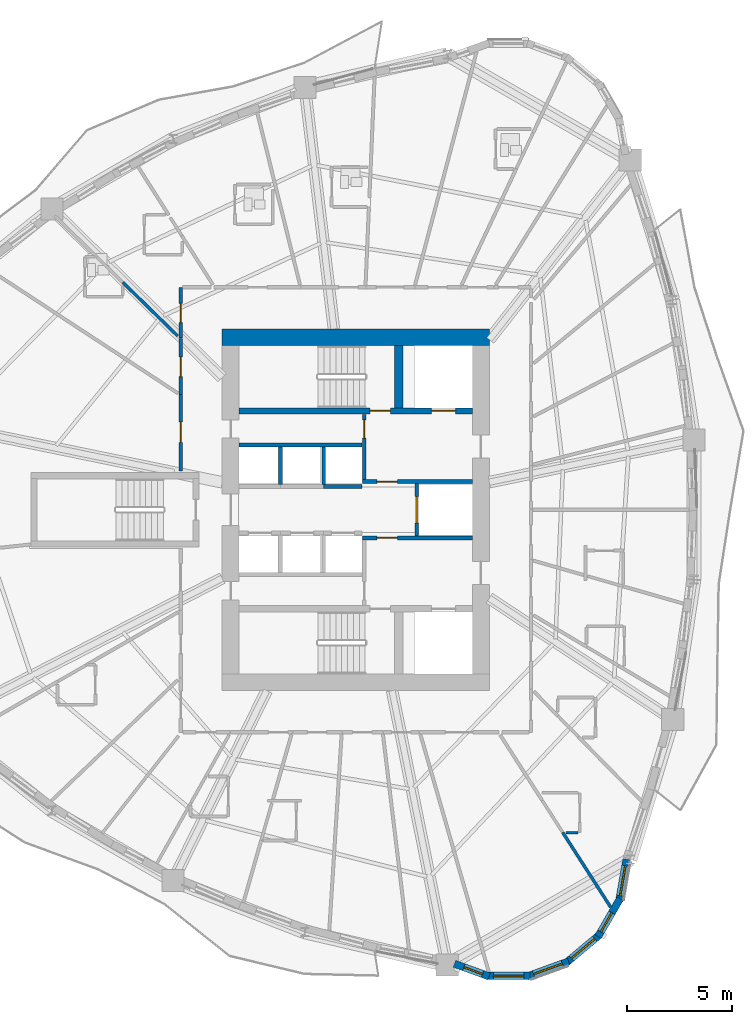
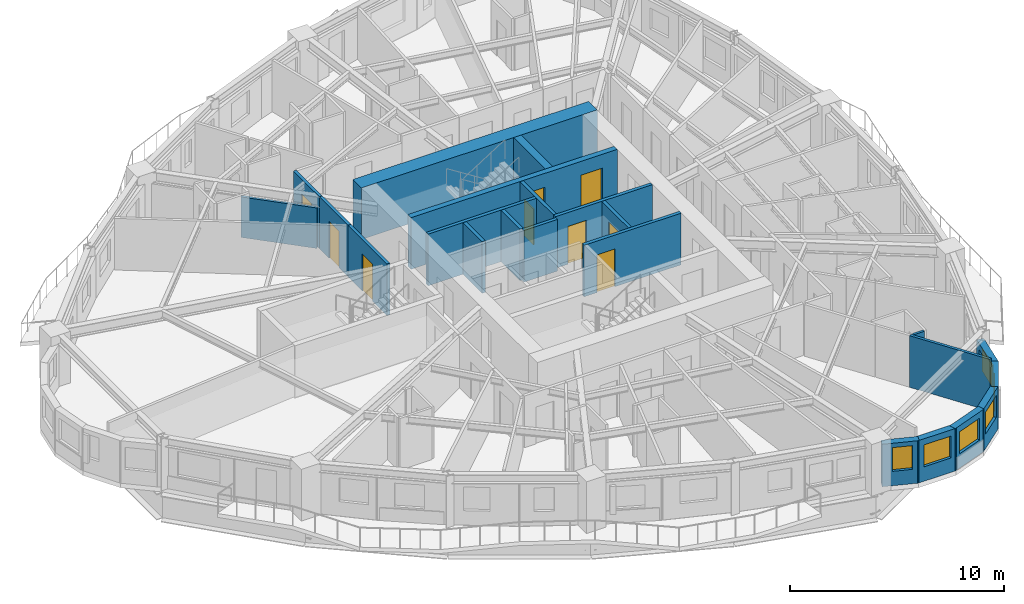
# One storey, part 6 of 14: 23 walls, 9 doors, 6 windows, 15 openings.
"""IFC4 building model written with IfcOpenShell, lengths in metres."""

from ifc_helpers import new_model, si_unit, direction, frame, frame_2d, origin, place, context, subcontext, project, spatial, rectangle, extrude, source, transform, mapped, material, layer, layer_set, type_object, element, fill, save


model = new_model("IFC4")

# Units and contexts
model_context = context("Model", 3, precision=1e-05, world=origin(), true_north=direction((0.0, 1.0)))
body_context = subcontext(model_context, "Body", "Model", "MODEL_VIEW")
ifc_project = project(units=[si_unit("LENGTHUNIT", "METRE"), si_unit("AREAUNIT", "SQUARE_METRE"), si_unit("VOLUMEUNIT", "CUBIC_METRE"), si_unit("PLANEANGLEUNIT", "RADIAN"), si_unit("MASSUNIT", "GRAM", prefix="KILO")], contexts=[model_context])

# Site, building, storey
site_placement = place(None, origin())
site = spatial("IfcSite", under=ifc_project, at=site_placement, CompositionType="ELEMENT")
building_placement = place(site_placement, origin())
building = spatial("IfcBuilding", under=site, at=building_placement, Name="Qafzar Sky-Pleat Residences", CompositionType="ELEMENT")
storey_placement = place(building_placement, frame((0.0, 0.0, 7.800048828125)))
storey = spatial("IfcBuildingStorey", under=building, at=storey_placement, Name="L01", CompositionType="ELEMENT", Elevation=7.800048828125)

# Wall, opening, door
ifc_material_1 = material(Name="Acoustic gypsum plasterboard partition", Category="gypsum")
ifc_layer_1 = layer(ifc_material_1, 0.159912109375)
ifc_layer_set_1 = layer_set([ifc_layer_1], Name="Acoustic gypsum plasterboard partition")
wall_type_1 = type_object("IfcWallType", Name="PART-COR-160", PredefinedType="PARTITIONING", material=ifc_layer_set_1)
wall_1_placement = place(storey_placement, frame((22.02001953125, 27.85009765625, 0.0), z_axis=(0.0, 0.0, 1.0), x_axis=(0.0, 1.0, 0.0)))
wall_1 = element("IfcWall", 1, at=wall_1_placement, inside=storey, type_object=wall_type_1, Name="L01 Partition Wall PART-L01-PW-003", PredefinedType="PARTITIONING", context=body_context, shape_type="SweptSolid", body=[
    extrude(rectangle(XDim=3.625, YDim=0.159912109375, at=frame_2d((1.8125, 0.0))), origin(), (0.0, 0.0, 1.0), 2.93994140625),
])
opening_1_placement = place(wall_1_placement, frame((1.35302734375, 0.0, 0.0)))
opening_1 = element("IfcOpeningElement", 2, at=opening_1_placement, cuts=wall_1, Name="Opening ID-06", PredefinedType="OPENING", context=body_context, shape_type="SweptSolid", body=[
    extrude(rectangle(XDim=0.9599609375, YDim=2.10009765625, at=frame_2d((0.47998046875, 1.050048828125))), frame((0.0, 0.08984375, 0.0), z_axis=(0.0, -1.0, 0.0), x_axis=(1.0, 0.0, 0.0)), (0.0, 0.0, 1.0), 0.179931640625),
])
ifc_material_2 = material(Name="Timber-faced fire door", Category="wood")
door_type_1 = type_object("IfcDoorType", Name="DR-STD-960", OperationType="NOTDEFINED", PredefinedType="DOOR", material=ifc_material_2)
shared_shape_1 = source(origin(), body_context, "Body", "SweptSolid", [
    extrude(rectangle(XDim=0.9599609375, YDim=2.10009765625, at=frame_2d((0.47998046875, 1.050048828125))), frame((0.0, 0.02490234375, 0.0), z_axis=(0.0, -1.0, 0.0), x_axis=(1.0, 0.0, 0.0)), (0.0, 0.0, 1.0), 0.050048828125),
])
door_1_placement = place(opening_1_placement, origin())
door_1 = element("IfcDoor", 3, at=door_1_placement, inside=storey, type_object=door_type_1, Name="L01 Reading Library Door", OperationType="SINGLE_SWING_RIGHT", OverallHeight=2.10009765625, OverallWidth=0.9599609375, PredefinedType="DOOR", context=body_context, shape_type="MappedRepresentation", body=[
    mapped(shared_shape_1, transform((0.0, 0.0, 0.0), x_axis=(1.0, 0.0, 0.0), y_axis=(0.0, 1.0, 0.0), z_axis=(0.0, 0.0, 1.0), scale=1.0)),
])
fill(opening_1, door_1)

wall_2_placement = place(storey_placement, frame((22.02001953125, 31.489990234375, 0.0), z_axis=(0.0, 0.0, 1.0), x_axis=(0.0, 1.0, 0.0)))
wall_2 = element("IfcWall", 4, at=wall_2_placement, inside=storey, type_object=wall_type_1, Name="L01 Partition Wall PART-L01-PW-010", PredefinedType="PARTITIONING", context=body_context, shape_type="SweptSolid", body=[
    extrude(rectangle(XDim=2.662109375, YDim=0.159912109375, at=frame_2d((1.3310546875, 0.0))), origin(), (0.0, 0.0, 1.0), 2.93994140625),
])
opening_2_placement = place(wall_2_placement, frame((0.843994140625, 0.0, 0.0)))
opening_2 = element("IfcOpeningElement", 5, at=opening_2_placement, cuts=wall_2, Name="Opening ID-04", PredefinedType="OPENING", context=body_context, shape_type="SweptSolid", body=[
    extrude(rectangle(XDim=0.919921875, YDim=2.10009765625, at=frame_2d((0.4599609375, 1.050048828125))), frame((0.0, 0.08984375, 0.0), z_axis=(0.0, -1.0, 0.0), x_axis=(1.0, 0.0, 0.0)), (0.0, 0.0, 1.0), 0.179931640625),
])
door_type_2 = type_object("IfcDoorType", Name="DR-BED-920", OperationType="NOTDEFINED", PredefinedType="DOOR", material=ifc_material_2)
shared_shape_2 = source(origin(), body_context, "Body", "SweptSolid", [
    extrude(rectangle(XDim=0.919921875, YDim=2.10009765625, at=frame_2d((0.4599609375, 1.050048828125))), frame((0.0, 0.02490234375, 0.0), z_axis=(0.0, -1.0, 0.0), x_axis=(1.0, 0.0, 0.0)), (0.0, 0.0, 1.0), 0.050048828125),
])
door_2_placement = place(opening_2_placement, origin())
door_2 = element("IfcDoor", 6, at=door_2_placement, inside=storey, type_object=door_type_2, Name="L01 Co-Living Bedroom 10 Door", OperationType="SINGLE_SWING_RIGHT", OverallHeight=2.10009765625, OverallWidth=0.919921875, PredefinedType="DOOR", context=body_context, shape_type="MappedRepresentation", body=[
    mapped(shared_shape_2, transform((0.0, 0.0, 0.0), x_axis=(1.0, 0.0, 0.0), y_axis=(0.0, 1.0, 0.0), z_axis=(0.0, 0.0, 1.0), scale=1.0)),
])
fill(opening_2, door_2)

wall_3_placement = place(storey_placement, frame((22.02001953125, 34.1669921875, 0.0), z_axis=(0.0, 0.0, 1.0), x_axis=(0.0, 1.0, 0.0)))
wall_3 = element("IfcWall", 7, at=wall_3_placement, inside=storey, type_object=wall_type_1, Name="L01 Partition Wall PART-L01-PW-014", PredefinedType="PARTITIONING", context=body_context, shape_type="SweptSolid", body=[
    extrude(rectangle(XDim=2.4130859375, YDim=0.159912109375, at=frame_2d((1.20654296875, 0.0))), origin(), (0.0, 0.0, 1.0), 2.93994140625),
])
opening_3_placement = place(wall_3_placement, frame((0.728515625, 0.0, 0.0)))
opening_3 = element("IfcOpeningElement", 8, at=opening_3_placement, cuts=wall_3, Name="Opening ID-04", PredefinedType="OPENING", context=body_context, shape_type="SweptSolid", body=[
    extrude(rectangle(XDim=0.919921875, YDim=2.10009765625, at=frame_2d((0.4599609375, 1.050048828125))), frame((0.0, 0.08984375, 0.0), z_axis=(0.0, -1.0, 0.0), x_axis=(1.0, 0.0, 0.0)), (0.0, 0.0, 1.0), 0.179931640625),
])
door_3_placement = place(opening_3_placement, origin())
door_3 = element("IfcDoor", 9, at=door_3_placement, inside=storey, type_object=door_type_2, Name="L01 Co-Living Bedroom 11 Door", OperationType="SINGLE_SWING_LEFT", OverallHeight=2.10009765625, OverallWidth=0.919921875, PredefinedType="DOOR", context=body_context, shape_type="MappedRepresentation", body=[
    mapped(shared_shape_2, transform((0.0, 0.0, 0.0), x_axis=(1.0, 0.0, 0.0), y_axis=(0.0, 1.0, 0.0), z_axis=(0.0, 0.0, 1.0), scale=1.0)),
])
fill(opening_3, door_3)

ifc_material_3 = material(Name="Concrete blockwork partition", Category="masonry")
ifc_layer_2 = layer(ifc_material_3, 0.179931640625)
ifc_layer_set_2 = layer_set([ifc_layer_2], Name="Concrete blockwork partition")
wall_type_2 = type_object("IfcWallType", Name="PART-SHAFT-180", PredefinedType="PARTITIONING", material=ifc_layer_set_2)
wall_4_placement = place(storey_placement, frame((30.669921875, 24.659912109375, 0.0), z_axis=(0.0, 0.0, 1.0), x_axis=(1.0, 0.0, 0.0)))
wall_4 = element("IfcWall", 10, at=wall_4_placement, inside=storey, type_object=wall_type_2, Name="L01 Partition Wall PART-L01-FFL1-N", PredefinedType="PARTITIONING", context=body_context, shape_type="SweptSolid", body=[
    extrude(rectangle(XDim=5.219970703125, YDim=0.179931640625, at=frame_2d((2.60986328125, 0.0))), origin(), (0.0, 0.0, 1.0), 2.93994140625),
])
opening_4_placement = place(wall_4_placement, frame((0.679931640625, 0.0, 0.0)))
opening_4 = element("IfcOpeningElement", 11, at=opening_4_placement, cuts=wall_4, Name="Opening ID-01", PredefinedType="OPENING", context=body_context, shape_type="SweptSolid", body=[
    extrude(rectangle(XDim=0.97998046875, YDim=2.14990234375, at=frame_2d((0.489990234375, 1.074951171875))), frame((0.0, 0.10009765625, 0.0), z_axis=(0.0, -1.0, 0.0), x_axis=(1.0, 0.0, 0.0)), (0.0, 0.0, 1.0), 0.199951171875),
])
door_type_3 = type_object("IfcDoorType", Name="DR-STAIR-980", OperationType="NOTDEFINED", PredefinedType="DOOR", material=ifc_material_2)
shared_shape_3 = source(origin(), body_context, "Body", "SweptSolid", [
    extrude(rectangle(XDim=0.97998046875, YDim=2.14990234375, at=frame_2d((0.489990234375, 1.074951171875))), frame((0.0, 0.02490234375, 0.0), z_axis=(0.0, -1.0, 0.0), x_axis=(1.0, 0.0, 0.0)), (0.0, 0.0, 1.0), 0.050048828125),
])
door_4_placement = place(opening_4_placement, origin())
door_4 = element("IfcDoor", 12, at=door_4_placement, inside=storey, type_object=door_type_3, Name="L01 Lift Lobby to South Firefighting Lobby Door", OperationType="SINGLE_SWING_RIGHT", OverallHeight=2.14990234375, OverallWidth=0.97998046875, PredefinedType="DOOR", context=body_context, shape_type="MappedRepresentation", body=[
    mapped(shared_shape_3, transform((0.0, 0.0, 0.0), x_axis=(1.0, 0.0, 0.0), y_axis=(0.0, 1.0, 0.0), z_axis=(0.0, 0.0, 1.0), scale=1.0)),
])
fill(opening_4, door_4)

wall_5_placement = place(storey_placement, frame((30.75, 27.429931640625, 0.0), z_axis=(0.0, 0.0, 1.0), x_axis=(0.0, 1.0, 0.0)))
wall_5 = element("IfcWall", 13, at=wall_5_placement, inside=storey, type_object=wall_type_2, Name="L01 Partition Wall PART-L01-FFL2-W", PredefinedType="PARTITIONING", context=body_context, shape_type="SweptSolid", body=[
    extrude(rectangle(XDim=3.110107421875, YDim=0.179931640625, at=frame_2d((1.55517578125, 0.0))), origin(), (0.0, 0.0, 1.0), 2.93994140625),
])
opening_5_placement = place(wall_5_placement, frame((1.97998046875, 0.0, 0.0)))
opening_5 = element("IfcOpeningElement", 14, at=opening_5_placement, cuts=wall_5, Name="Opening ID-09", PredefinedType="OPENING", context=body_context, shape_type="SweptSolid", body=[
    extrude(rectangle(XDim=0.860107421875, YDim=2.050048828125, at=frame_2d((0.43017578125, 1.02490234375))), frame((0.0, 0.10009765625, 0.0), z_axis=(0.0, -1.0, 0.0), x_axis=(1.0, 0.0, 0.0)), (0.0, 0.0, 1.0), 0.199951171875),
])
door_type_4 = type_object("IfcDoorType", Name="DR-SVC-860", OperationType="NOTDEFINED", PredefinedType="DOOR", material=ifc_material_2)
shared_shape_4 = source(origin(), body_context, "Body", "SweptSolid", [
    extrude(rectangle(XDim=0.860107421875, YDim=2.050048828125, at=frame_2d((0.43017578125, 1.02490234375))), frame((0.0, 0.02490234375, 0.0), z_axis=(0.0, -1.0, 0.0), x_axis=(1.0, 0.0, 0.0)), (0.0, 0.0, 1.0), 0.050048828125),
])
door_5_placement = place(opening_5_placement, origin())
door_5 = element("IfcDoor", 15, at=door_5_placement, inside=storey, type_object=door_type_4, Name="L01 North Core Cupboard Door", OperationType="SINGLE_SWING_LEFT", OverallHeight=2.050048828125, OverallWidth=0.860107421875, PredefinedType="DOOR", context=body_context, shape_type="MappedRepresentation", body=[
    mapped(shared_shape_4, transform((0.0, 0.0, 0.0), x_axis=(1.0, 0.0, 0.0), y_axis=(0.0, 1.0, 0.0), z_axis=(0.0, 0.0, 1.0), scale=1.0)),
])
fill(opening_5, door_5)

wall_6_placement = place(storey_placement, frame((30.669921875, 27.340087890625, 0.0), z_axis=(0.0, 0.0, 1.0), x_axis=(1.0, 0.0, 0.0)))
wall_6 = element("IfcWall", 16, at=wall_6_placement, inside=storey, type_object=wall_type_2, Name="L01 Partition Wall PART-L01-FFL2-S", PredefinedType="PARTITIONING", context=body_context, shape_type="SweptSolid", body=[
    extrude(rectangle(XDim=5.219970703125, YDim=0.179931640625, at=frame_2d((2.60986328125, 0.0))), origin(), (0.0, 0.0, 1.0), 2.93994140625),
])
opening_6_placement = place(wall_6_placement, frame((0.679931640625, 0.0, 0.0)))
opening_6 = element("IfcOpeningElement", 17, at=opening_6_placement, cuts=wall_6, Name="Opening ID-01", PredefinedType="OPENING", context=body_context, shape_type="SweptSolid", body=[
    extrude(rectangle(XDim=0.97998046875, YDim=2.14990234375, at=frame_2d((0.489990234375, 1.074951171875))), frame((0.0, 0.10009765625, 0.0), z_axis=(0.0, -1.0, 0.0), x_axis=(1.0, 0.0, 0.0)), (0.0, 0.0, 1.0), 0.199951171875),
])
door_6_placement = place(opening_6_placement, origin())
door_6 = element("IfcDoor", 18, at=door_6_placement, inside=storey, type_object=door_type_3, Name="L01 Lift Lobby to North Firefighting Lobby Door", OperationType="SINGLE_SWING_RIGHT", OverallHeight=2.14990234375, OverallWidth=0.97998046875, PredefinedType="DOOR", context=body_context, shape_type="MappedRepresentation", body=[
    mapped(shared_shape_3, transform((0.0, 0.0, 0.0), x_axis=(1.0, 0.0, 0.0), y_axis=(0.0, 1.0, 0.0), z_axis=(0.0, 0.0, 1.0), scale=1.0)),
])
fill(opening_6, door_6)

wall_7_placement = place(storey_placement, frame((33.25, 24.760009765625, 0.0), z_axis=(0.0, 0.0, 1.0), x_axis=(0.0, 1.0, 0.0)))
wall_7 = element("IfcWall", 19, at=wall_7_placement, inside=storey, type_object=wall_type_2, Name="L01 Partition Wall PART-L01-SV1-W", PredefinedType="PARTITIONING", context=body_context, shape_type="SweptSolid", body=[
    extrude(rectangle(XDim=2.47998046875, YDim=0.179931640625, at=frame_2d((1.239990234375, 0.0))), origin(), (0.0, 0.0, 1.0), 2.93994140625),
])
opening_7_placement = place(wall_7_placement, frame((0.614990234375, 0.0, 0.0)))
opening_7 = element("IfcOpeningElement", 20, at=opening_7_placement, cuts=wall_7, Name="Opening LD-03", PredefinedType="OPENING", context=body_context, shape_type="SweptSolid", body=[
    extrude(rectangle(XDim=1.25, YDim=2.14990234375, at=frame_2d((0.625, 1.074951171875))), frame((0.0, 0.10009765625, 0.0), z_axis=(0.0, -1.0, 0.0), x_axis=(1.0, 0.0, 0.0)), (0.0, 0.0, 1.0), 0.199951171875),
])
ifc_material_4 = material(Name="Stainless steel sliding landing door", Category="steel")
door_type_5 = type_object("IfcDoorType", Name="DR-LIFT-SV", OperationType="DOUBLE_DOOR_SLIDING", PredefinedType="DOOR", material=ifc_material_4)
shared_shape_5 = source(origin(), body_context, "Body", "SweptSolid", [
    extrude(rectangle(XDim=1.25, YDim=2.14990234375, at=frame_2d((0.625, 1.074951171875))), frame((0.0, 0.02490234375, 0.0), z_axis=(0.0, -1.0, 0.0), x_axis=(1.0, 0.0, 0.0)), (0.0, 0.0, 1.0), 0.050048828125),
])
door_7_placement = place(opening_7_placement, origin())
door_7 = element("IfcDoor", 21, at=door_7_placement, inside=storey, type_object=door_type_5, Name="L01 Service Lift SV1 Landing Door", OperationType="DOUBLE_DOOR_SLIDING", OverallHeight=2.14990234375, OverallWidth=1.25, PredefinedType="DOOR", context=body_context, shape_type="MappedRepresentation", body=[
    mapped(shared_shape_5, transform((0.0, 0.0, 0.0), x_axis=(1.0, 0.0, 0.0), y_axis=(0.0, 1.0, 0.0), z_axis=(0.0, 0.0, 1.0), scale=1.0)),
])
fill(opening_7, door_7)

# Walls
wall_8_placement = place(storey_placement, frame((24.81005859375, 29.080078125, 0.0), z_axis=(0.0, 0.0, 1.0), x_axis=(1.0, 0.0, 0.0)))
element("IfcWall", 22, at=wall_8_placement, inside=storey, type_object=wall_type_2, Name="L01 Partition Wall PART-L01-P46-N", PredefinedType="PARTITIONING", context=body_context, shape_type="SweptSolid", body=[
    extrude(rectangle(XDim=5.83984375, YDim=0.179931640625, at=frame_2d((2.919921875, 0.0))), origin(), (0.0, 0.0, 1.0), 2.93994140625),
])
wall_9_placement = place(storey_placement, frame((26.77490234375, 27.199951171875, 0.0), z_axis=(0.0, 0.0, 1.0), x_axis=(0.0, 1.0, 0.0)))
element("IfcWall", 23, at=wall_9_placement, inside=storey, type_object=wall_type_2, Name="L01 Partition Wall PART-L01-P46-DIV-1", PredefinedType="PARTITIONING", context=body_context, shape_type="SweptSolid", body=[
    extrude(rectangle(XDim=1.780029296875, YDim=0.179931640625, at=frame_2d((0.89013671875, 0.0))), origin(), (0.0, 0.0, 1.0), 2.93994140625),
])
wall_10_placement = place(storey_placement, frame((28.824951171875, 27.10009765625, 0.0), z_axis=(0.0, 0.0, 1.0), x_axis=(1.0, 0.0, 0.0)))
element("IfcWall", 24, at=wall_10_placement, inside=storey, type_object=wall_type_2, Name="L01 Partition Wall PART-L01-P6-S", PredefinedType="PARTITIONING", context=body_context, shape_type="SweptSolid", body=[
    extrude(rectangle(XDim=1.824951171875, YDim=0.179931640625, at=frame_2d((0.91259765625, 0.0))), origin(), (0.0, 0.0, 1.0), 2.93994140625),
])
wall_11_placement = place(storey_placement, frame((28.824951171875, 27.199951171875, 0.0), z_axis=(0.0, 0.0, 1.0), x_axis=(0.0, 1.0, 0.0)))
element("IfcWall", 25, at=wall_11_placement, inside=storey, type_object=wall_type_2, Name="L01 Partition Wall PART-L01-P46-DIV-2", PredefinedType="PARTITIONING", context=body_context, shape_type="SweptSolid", body=[
    extrude(rectangle(XDim=1.780029296875, YDim=0.179931640625, at=frame_2d((0.89013671875, 0.0))), origin(), (0.0, 0.0, 1.0), 2.93994140625),
])
ifc_layer_3 = layer(ifc_material_1, 0.14501953125)
ifc_layer_set_3 = layer_set([ifc_layer_3], Name="Acoustic gypsum plasterboard partition")
wall_type_3 = type_object("IfcWallType", Name="PART-UNIT-145", PredefinedType="PARTITIONING", material=ifc_layer_set_3)
wall_12_placement = place(storey_placement, frame((40.19091796875, 10.657958984375, 0.0), z_axis=(0.0, 0.0, 1.0), x_axis=(0.539757550566, -0.841820519236, 0.0)))
element("IfcWall", 26, at=wall_12_placement, inside=storey, type_object=wall_type_3, Name="L01 Partition Wall PART-L01-PW-059", PredefinedType="PARTITIONING", context=body_context, shape_type="SweptSolid", body=[
    extrude(rectangle(XDim=4.221435546875, YDim=0.14501953125, at=frame_2d((2.11083984375, 0.0))), origin(), (0.0, 0.0, 1.0), 2.93994140625),
])
wall_13_placement = place(storey_placement, frame((19.27099609375, 36.81494140625, 0.0), z_axis=(0.0, 0.0, 1.0), x_axis=(0.71551452036, -0.698597860828, 0.0)))
element("IfcWall", 27, at=wall_13_placement, inside=storey, type_object=wall_type_3, Name="L01 Partition Wall PART-L01-PW-061", PredefinedType="PARTITIONING", context=body_context, shape_type="SweptSolid", body=[
    extrude(rectangle(XDim=3.6513671875, YDim=0.14501953125, at=frame_2d((1.82568359375, 0.0))), origin(), (0.0, 0.0, 1.0), 2.307861328125),
])
ifc_material_5 = material(Name="Moisture-resistant gypsum partition", Category="gypsum")
ifc_layer_4 = layer(ifc_material_5, 0.1298828125)
ifc_layer_set_4 = layer_set([ifc_layer_4], Name="Moisture-resistant gypsum partition")
wall_type_4 = type_object("IfcWallType", Name="PART-WET-130", PredefinedType="PARTITIONING", material=ifc_layer_set_4)
wall_14_placement = place(storey_placement, frame((40.335693359375, 10.64306640625, 0.0), z_axis=(0.0, 0.0, 1.0), x_axis=(1.0, 0.0, 0.0)))
element("IfcWall", 28, at=wall_14_placement, inside=storey, type_object=wall_type_4, Name="L01 Partition Wall PART-L01-PW-112", PredefinedType="PARTITIONING", context=body_context, shape_type="SweptSolid", body=[
    extrude(rectangle(XDim=0.58740234375, YDim=0.1298828125, at=frame_2d((0.293701171875, 0.0))), origin(), (0.0, 0.0, 1.0), 2.93994140625),
])

# Wall, opening, window
ifc_material_6 = material(Name="Precast concrete C40/50 with honed Riyadh limestone", Category="concrete")
ifc_layer_5 = layer(ifc_material_6, 0.35009765625)
ifc_layer_set_5 = layer_set([ifc_layer_5], Name="Precast concrete C40/50 with honed Riyadh limestone")
wall_type_5 = type_object("IfcWallType", Name="WALL-EXT-350", PredefinedType="SOLIDWALL", material=ifc_layer_set_5)
wall_15_placement = place(storey_placement, frame((35.041748046875, 4.4111328125, 0.0), z_axis=(0.0, 0.0, 1.0), x_axis=(0.9396916908, -0.34202269843, 0.0)))
wall_15 = element("IfcWall", 29, at=wall_15_placement, inside=storey, type_object=wall_type_5, Name="L01 Limestone Facade Wall 17", PredefinedType="SOLIDWALL", context=body_context, shape_type="SweptSolid", body=[
    extrude(rectangle(XDim=1.75244140625, YDim=0.35009765625, at=frame_2d((0.876220703125, 0.0))), origin(), (0.0, 0.0, 1.0), 2.419921875),
])
opening_8_placement = place(wall_15_placement, frame((0.476318359375, 0.0, 0.820068359375)))
opening_8 = element("IfcOpeningElement", 30, at=opening_8_placement, cuts=wall_15, Name="Opening WN-12", PredefinedType="OPENING", context=body_context, shape_type="SweptSolid", body=[
    extrude(rectangle(XDim=0.949951171875, YDim=1.35009765625, at=frame_2d((0.47509765625, 0.675048828125))), frame((0.0, 0.18505859375, 0.0), z_axis=(0.0, -1.0, 0.0), x_axis=(1.0, 0.0, 0.0)), (0.0, 0.0, 1.0), 0.3701171875),
])
ifc_material_7 = material(Name="Solar-control low-E glass in bronze aluminium frame", Category="glass")
window_type_1 = type_object("IfcWindowType", Name="WIN-12", PartitioningType="SINGLE_PANEL", PredefinedType="WINDOW", material=ifc_material_7)
shared_shape_6 = source(origin(), body_context, "Body", "SweptSolid", [
    extrude(rectangle(XDim=0.949951171875, YDim=1.35009765625, at=frame_2d((0.47509765625, 0.675048828125))), frame((0.0, 0.030029296875, 0.0), z_axis=(0.0, -1.0, 0.0), x_axis=(1.0, 0.0, 0.0)), (0.0, 0.0, 1.0), 0.06005859375),
])
window_1_placement = place(opening_8_placement, origin())
window_1 = element("IfcWindow", 31, at=window_1_placement, inside=storey, type_object=window_type_1, Name="L01 Punched Facade Window 17", OverallHeight=1.35009765625, OverallWidth=0.949951171875, PartitioningType="SINGLE_PANEL", PredefinedType="WINDOW", context=body_context, shape_type="MappedRepresentation", body=[
    mapped(shared_shape_6, transform((0.0, 0.0, 0.0), x_axis=(1.0, 0.0, 0.0), y_axis=(0.0, 1.0, 0.0), z_axis=(0.0, 0.0, 1.0), scale=1.0)),
])
fill(opening_8, window_1)

wall_16_placement = place(storey_placement, frame((36.5546875, 3.83544921875, 0.0), z_axis=(0.0, 0.0, 1.0), x_axis=(1.0, 0.0, 0.0)))
wall_16 = element("IfcWall", 32, at=wall_16_placement, inside=storey, type_object=wall_type_5, Name="L01 Limestone Facade Wall 18", PredefinedType="SOLIDWALL", context=body_context, shape_type="SweptSolid", body=[
    extrude(rectangle(XDim=2.090576171875, YDim=0.35009765625, at=frame_2d((1.04541015625, 0.0))), origin(), (0.0, 0.0, 1.0), 2.419921875),
])
opening_9_placement = place(wall_16_placement, frame((0.343994140625, 0.0, 0.820068359375)))
opening_9 = element("IfcOpeningElement", 33, at=opening_9_placement, cuts=wall_16, Name="Opening WN-15", PredefinedType="OPENING", context=body_context, shape_type="SweptSolid", body=[
    extrude(rectangle(XDim=1.449951171875, YDim=1.25, at=frame_2d((0.72509765625, 0.625))), frame((0.0, 0.18505859375, 0.0), z_axis=(0.0, -1.0, 0.0), x_axis=(1.0, 0.0, 0.0)), (0.0, 0.0, 1.0), 0.3701171875),
])
window_type_2 = type_object("IfcWindowType", Name="WIN-15", PartitioningType="SINGLE_PANEL", PredefinedType="WINDOW", material=ifc_material_7)
shared_shape_7 = source(origin(), body_context, "Body", "SweptSolid", [
    extrude(rectangle(XDim=1.449951171875, YDim=1.25, at=frame_2d((0.72509765625, 0.625))), frame((0.0, 0.030029296875, 0.0), z_axis=(0.0, -1.0, 0.0), x_axis=(1.0, 0.0, 0.0)), (0.0, 0.0, 1.0), 0.06005859375),
])
window_2_placement = place(opening_9_placement, origin())
window_2 = element("IfcWindow", 34, at=window_2_placement, inside=storey, type_object=window_type_2, Name="L01 Punched Facade Window 18", OverallHeight=1.25, OverallWidth=1.449951171875, PartitioningType="SINGLE_PANEL", PredefinedType="WINDOW", context=body_context, shape_type="MappedRepresentation", body=[
    mapped(shared_shape_7, transform((0.0, 0.0, 0.0), x_axis=(1.0, 0.0, 0.0), y_axis=(0.0, 1.0, 0.0), z_axis=(0.0, 0.0, 1.0), scale=1.0)),
])
fill(opening_9, window_2)

wall_17_placement = place(storey_placement, frame((38.51171875, 3.811767578125, 0.0), z_axis=(0.0, 0.0, 1.0), x_axis=(0.939660353162, 0.342108784886, 0.0)))
wall_17 = element("IfcWall", 35, at=wall_17_placement, inside=storey, type_object=wall_type_5, Name="L01 Limestone Facade Wall 19", PredefinedType="SOLIDWALL", context=body_context, shape_type="SweptSolid", body=[
    extrude(rectangle(XDim=2.09033203125, YDim=0.35009765625, at=frame_2d((1.045166015625, 0.0))), origin(), (0.0, 0.0, 1.0), 2.419921875),
])
opening_10_placement = place(wall_17_placement, frame((0.3203125, 0.0, 0.820068359375)))
opening_10 = element("IfcOpeningElement", 36, at=opening_10_placement, cuts=wall_17, Name="Opening WN-15", PredefinedType="OPENING", context=body_context, shape_type="SweptSolid", body=[
    extrude(rectangle(XDim=1.449951171875, YDim=1.25, at=frame_2d((0.72509765625, 0.625))), frame((0.0, 0.18505859375, 0.0), z_axis=(0.0, -1.0, 0.0), x_axis=(1.0, 0.0, 0.0)), (0.0, 0.0, 1.0), 0.3701171875),
])
window_3_placement = place(opening_10_placement, origin())
window_3 = element("IfcWindow", 37, at=window_3_placement, inside=storey, type_object=window_type_2, Name="L01 Punched Facade Window 19", OverallHeight=1.25, OverallWidth=1.449951171875, PartitioningType="SINGLE_PANEL", PredefinedType="WINDOW", context=body_context, shape_type="MappedRepresentation", body=[
    mapped(shared_shape_7, transform((0.0, 0.0, 0.0), x_axis=(1.0, 0.0, 0.0), y_axis=(0.0, 1.0, 0.0), z_axis=(0.0, 0.0, 1.0), scale=1.0)),
])
fill(opening_10, window_3)

wall_18_placement = place(storey_placement, frame((40.3583984375, 4.458984375, 0.0), z_axis=(0.0, 0.0, 1.0), x_axis=(0.766082082368, 0.642742750308, 0.0)))
wall_18 = element("IfcWall", 38, at=wall_18_placement, inside=storey, type_object=wall_type_5, Name="L01 Limestone Facade Wall 20", PredefinedType="SOLIDWALL", context=body_context, shape_type="SweptSolid", body=[
    extrude(rectangle(XDim=2.09033203125, YDim=0.35009765625, at=frame_2d((1.045166015625, 0.0))), origin(), (0.0, 0.0, 1.0), 2.419921875),
])
opening_11_placement = place(wall_18_placement, frame((0.3203125, 0.0, 0.820068359375)))
opening_11 = element("IfcOpeningElement", 39, at=opening_11_placement, cuts=wall_18, Name="Opening WN-15", PredefinedType="OPENING", context=body_context, shape_type="SweptSolid", body=[
    extrude(rectangle(XDim=1.449951171875, YDim=1.25, at=frame_2d((0.72509765625, 0.625))), frame((0.0, 0.18505859375, 0.0), z_axis=(0.0, -1.0, 0.0), x_axis=(1.0, 0.0, 0.0)), (0.0, 0.0, 1.0), 0.3701171875),
])
window_4_placement = place(opening_11_placement, origin())
window_4 = element("IfcWindow", 40, at=window_4_placement, inside=storey, type_object=window_type_2, Name="L01 Punched Facade Window 20", OverallHeight=1.25, OverallWidth=1.449951171875, PartitioningType="SINGLE_PANEL", PredefinedType="WINDOW", context=body_context, shape_type="MappedRepresentation", body=[
    mapped(shared_shape_7, transform((0.0, 0.0, 0.0), x_axis=(1.0, 0.0, 0.0), y_axis=(0.0, 1.0, 0.0), z_axis=(0.0, 0.0, 1.0), scale=1.0)),
])
fill(opening_11, window_4)

wall_19_placement = place(storey_placement, frame((41.87255859375, 5.69873046875, 0.0), z_axis=(0.0, 0.0, 1.0), x_axis=(0.49990781971, 0.866078617559, 0.0)))
wall_19 = element("IfcWall", 41, at=wall_19_placement, inside=storey, type_object=wall_type_5, Name="L01 Limestone Facade Wall 21", PredefinedType="SOLIDWALL", context=body_context, shape_type="SweptSolid", body=[
    extrude(rectangle(XDim=2.09033203125, YDim=0.35009765625, at=frame_2d((1.045166015625, 0.0))), origin(), (0.0, 0.0, 1.0), 2.419921875),
])
opening_12_placement = place(wall_19_placement, frame((0.267578125, 0.0, 0.820068359375)))
opening_12 = element("IfcOpeningElement", 42, at=opening_12_placement, cuts=wall_19, Name="Opening WN-06", PredefinedType="OPENING", context=body_context, shape_type="SweptSolid", body=[
    extrude(rectangle(XDim=1.050048828125, YDim=1.449951171875, at=frame_2d((0.52490234375, 0.72509765625))), frame((0.0, 0.18505859375, 0.0), z_axis=(0.0, -1.0, 0.0), x_axis=(1.0, 0.0, 0.0)), (0.0, 0.0, 1.0), 0.3701171875),
])
window_type_3 = type_object("IfcWindowType", Name="WIN-06", PartitioningType="SINGLE_PANEL", PredefinedType="WINDOW", material=ifc_material_7)
shared_shape_8 = source(origin(), body_context, "Body", "SweptSolid", [
    extrude(rectangle(XDim=1.050048828125, YDim=1.449951171875, at=frame_2d((0.52490234375, 0.72509765625))), frame((0.0, 0.030029296875, 0.0), z_axis=(0.0, -1.0, 0.0), x_axis=(1.0, 0.0, 0.0)), (0.0, 0.0, 1.0), 0.06005859375),
])
window_5_placement = place(opening_12_placement, origin())
window_5 = element("IfcWindow", 43, at=window_5_placement, inside=storey, type_object=window_type_3, Name="L01 Punched Facade Window 21", OverallHeight=1.449951171875, OverallWidth=1.050048828125, PartitioningType="SINGLE_PANEL", PredefinedType="WINDOW", context=body_context, shape_type="MappedRepresentation", body=[
    mapped(shared_shape_8, transform((0.0, 0.0, 0.0), x_axis=(1.0, 0.0, 0.0), y_axis=(0.0, 1.0, 0.0), z_axis=(0.0, 0.0, 1.0), scale=1.0)),
])
fill(opening_12, window_5)

wall_20_placement = place(storey_placement, frame((42.871337890625, 7.381591796875, 0.0), z_axis=(0.0, 0.0, 1.0), x_axis=(0.173586593252, 0.984818610021, 0.0)))
wall_20 = element("IfcWall", 44, at=wall_20_placement, inside=storey, type_object=wall_type_5, Name="L01 Limestone Facade Wall 22", PredefinedType="SOLIDWALL", context=body_context, shape_type="SweptSolid", body=[
    extrude(rectangle(XDim=2.0322265625, YDim=0.35009765625, at=frame_2d((1.01611328125, 0.0))), origin(), (0.0, 0.0, 1.0), 2.419921875),
])
opening_13_placement = place(wall_20_placement, frame((0.27001953125, 0.0, 0.820068359375)))
opening_13 = element("IfcOpeningElement", 45, at=opening_13_placement, cuts=wall_20, Name="Opening WN-15", PredefinedType="OPENING", context=body_context, shape_type="SweptSolid", body=[
    extrude(rectangle(XDim=1.449951171875, YDim=1.25, at=frame_2d((0.72509765625, 0.625))), frame((0.0, 0.18505859375, 0.0), z_axis=(0.0, -1.0, 0.0), x_axis=(1.0, 0.0, 0.0)), (0.0, 0.0, 1.0), 0.3701171875),
])
window_6_placement = place(opening_13_placement, origin())
window_6 = element("IfcWindow", 46, at=window_6_placement, inside=storey, type_object=window_type_2, Name="L01 Punched Facade Window 22", OverallHeight=1.25, OverallWidth=1.449951171875, PartitioningType="SINGLE_PANEL", PredefinedType="WINDOW", context=body_context, shape_type="MappedRepresentation", body=[
    mapped(shared_shape_7, transform((0.0, 0.0, 0.0), x_axis=(1.0, 0.0, 0.0), y_axis=(0.0, 1.0, 0.0), z_axis=(0.0, 0.0, 1.0), scale=1.0)),
])
fill(opening_13, window_6)

# Wall, openings, doors
ifc_material_8 = material(Name="Concrete C60/75", Category="concrete")
ifc_layer_6 = layer(ifc_material_8, 0.300048828125)
ifc_layer_set_6 = layer_set([ifc_layer_6], Name="Concrete C60/75")
wall_type_6 = type_object("IfcWallType", Name="WALL-SHEAR-300", PredefinedType="SHEAR", material=ifc_layer_set_6)
wall_21_placement = place(storey_placement, frame((24.800048828125, 30.699951171875, 0.0), z_axis=(0.0, 0.0, 1.0), x_axis=(1.0, 0.0, 0.0)))
wall_21 = element("IfcWall", 47, at=wall_21_placement, inside=storey, type_object=wall_type_6, Name="L01 Stair ST2 and FF2 Shaft South Wall", PredefinedType="SHEAR", context=body_context, shape_type="SweptSolid", body=[
    extrude(rectangle(XDim=11.099853515625, YDim=0.300048828125, at=frame_2d((5.5498046875, 0.0))), origin(), (0.0, 0.0, 1.0), 2.93994140625),
])
opening_14_placement = place(wall_21_placement, frame((6.219970703125, 0.0, 0.0)))
opening_14 = element("IfcOpeningElement", 48, at=opening_14_placement, cuts=wall_21, Name="Opening ID-01", PredefinedType="OPENING", context=body_context, shape_type="SweptSolid", body=[
    extrude(rectangle(XDim=0.97998046875, YDim=2.14990234375, at=frame_2d((0.489990234375, 1.074951171875))), frame((0.0, 0.16015625, 0.0), z_axis=(0.0, -1.0, 0.0), x_axis=(1.0, 0.0, 0.0)), (0.0, 0.0, 1.0), 0.320068359375),
])
opening_15_placement = place(wall_21_placement, frame((9.14990234375, 0.0, 0.0)))
opening_15 = element("IfcOpeningElement", 49, at=opening_15_placement, cuts=wall_21, Name="Opening LD-02", PredefinedType="OPENING", context=body_context, shape_type="SweptSolid", body=[
    extrude(rectangle(XDim=1.14990234375, YDim=2.14990234375, at=frame_2d((0.574951171875, 1.074951171875))), frame((0.0, 0.16015625, 0.0), z_axis=(0.0, -1.0, 0.0), x_axis=(1.0, 0.0, 0.0)), (0.0, 0.0, 1.0), 0.320068359375),
])
door_8_placement = place(opening_14_placement, origin())
door_8 = element("IfcDoor", 50, at=door_8_placement, inside=storey, type_object=door_type_3, Name="L01 Stair ST2 Fire Door", OperationType="SINGLE_SWING_LEFT", OverallHeight=2.14990234375, OverallWidth=0.97998046875, PredefinedType="DOOR", context=body_context, shape_type="MappedRepresentation", body=[
    mapped(shared_shape_3, transform((0.0, 0.0, 0.0), x_axis=(1.0, 0.0, 0.0), y_axis=(0.0, 1.0, 0.0), z_axis=(0.0, 0.0, 1.0), scale=1.0)),
])
fill(opening_14, door_8)
door_type_6 = type_object("IfcDoorType", Name="DR-LIFT-FF", OperationType="DOUBLE_DOOR_SLIDING", PredefinedType="DOOR", material=ifc_material_4)
shared_shape_9 = source(origin(), body_context, "Body", "SweptSolid", [
    extrude(rectangle(XDim=1.14990234375, YDim=2.14990234375, at=frame_2d((0.574951171875, 1.074951171875))), frame((0.0, 0.02490234375, 0.0), z_axis=(0.0, -1.0, 0.0), x_axis=(1.0, 0.0, 0.0)), (0.0, 0.0, 1.0), 0.050048828125),
])
door_9_placement = place(opening_15_placement, origin())
door_9 = element("IfcDoor", 51, at=door_9_placement, inside=storey, type_object=door_type_6, Name="L01 Firefighting Lift FF2 Landing Door", OperationType="DOUBLE_DOOR_SLIDING", OverallHeight=2.14990234375, OverallWidth=1.14990234375, PredefinedType="DOOR", context=body_context, shape_type="MappedRepresentation", body=[
    mapped(shared_shape_9, transform((0.0, 0.0, 0.0), x_axis=(1.0, 0.0, 0.0), y_axis=(0.0, 1.0, 0.0), z_axis=(0.0, 0.0, 1.0), scale=1.0)),
])
fill(opening_15, door_9)

# Walls
ifc_layer_7 = layer(ifc_material_8, 0.39990234375)
ifc_layer_set_7 = layer_set([ifc_layer_7], Name="Concrete C60/75")
wall_type_7 = type_object("IfcWallType", Name="WALL-SHEAR-400", PredefinedType="SHEAR", material=ifc_layer_set_7)
wall_22_placement = place(storey_placement, frame((32.39990234375, 30.85009765625, 0.0), z_axis=(0.0, 0.0, 1.0), x_axis=(0.0, 1.0, 0.0)))
element("IfcWall", 52, at=wall_22_placement, inside=storey, type_object=wall_type_7, Name="L01 Stair ST2 East Dividing Wall", PredefinedType="SHEAR", context=body_context, shape_type="SweptSolid", body=[
    extrude(rectangle(XDim=2.949951171875, YDim=0.39990234375, at=frame_2d((1.47509765625, 0.0))), origin(), (0.0, 0.0, 1.0), 2.93994140625),
])
ifc_layer_8 = layer(ifc_material_8, 0.800048828125)
ifc_layer_set_8 = layer_set([ifc_layer_8], Name="Concrete C60/75")
wall_type_8 = type_object("IfcWallType", Name="WALL-SHEAR-800", PredefinedType="SHEAR", material=ifc_layer_set_8)
wall_23_placement = place(storey_placement, frame((36.699951171875, 34.199951171875, 0.0), z_axis=(0.0, 0.0, 1.0), x_axis=(-1.0, 0.0, 0.0)))
element("IfcWall", 53, at=wall_23_placement, inside=storey, type_object=wall_type_8, Name="L01 CORE wall N", PredefinedType="SHEAR", context=body_context, shape_type="SweptSolid", body=[
    extrude(rectangle(XDim=12.699951171875, YDim=0.800048828125, at=frame_2d((6.35009765625, 0.0))), origin(), (0.0, 0.0, 1.0), 2.93994140625),
])

save(model, "model.ifc")
